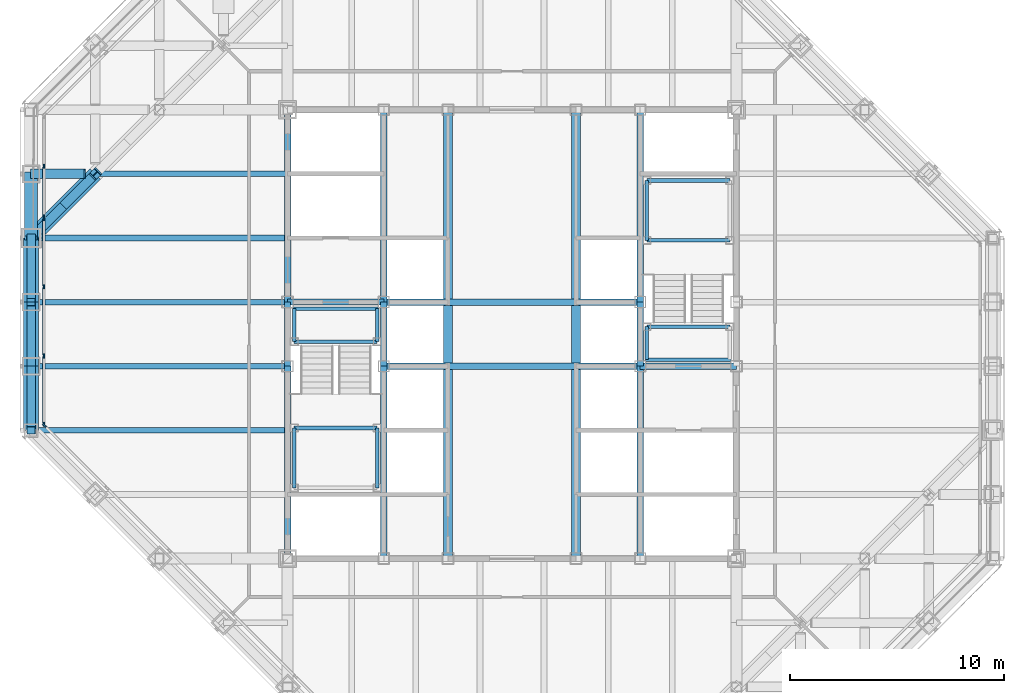
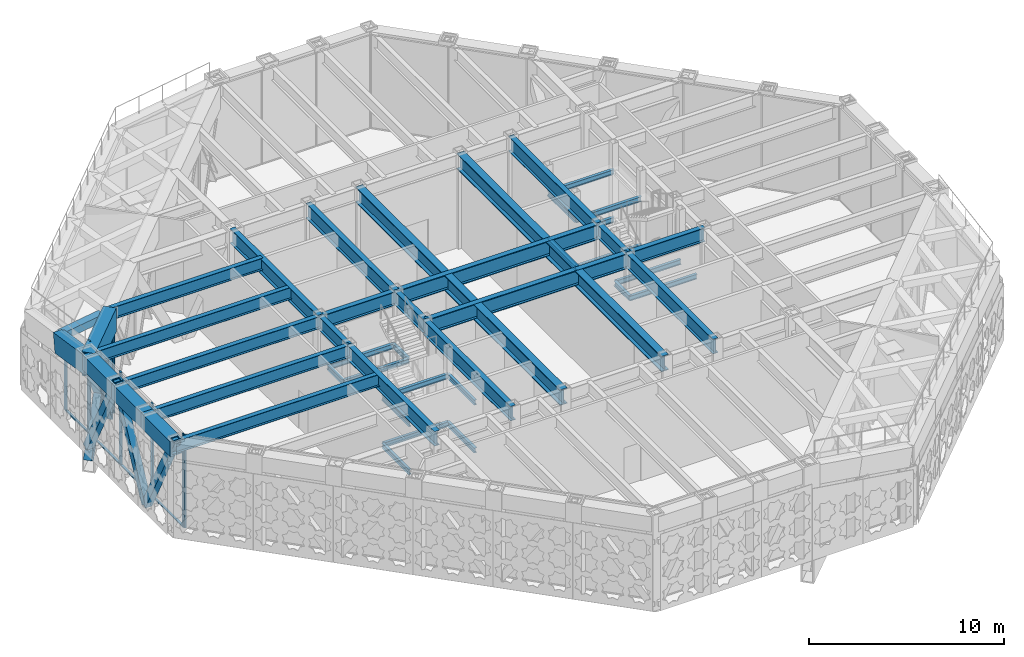
# One storey, part 6 of 29: 48 beams, 18 members, 3 elements without a shape of their own.
"""IFC4 building model written with IfcOpenShell, lengths in metres."""

from ifc_helpers import new_model, si_unit, direction, frame, origin, origin_2d, place, context, subcontext, project, spatial, rectangle, hollow_rectangle, i_section, extrude, material, layer, layer_set, material_profile, profile_set, type_object, element, aggregate, save


model = new_model("IFC4")

# Units and contexts
model_context = context("Model", 3, precision=1e-05, world=origin(), true_north=direction((0.0, 1.0)))
body_context = subcontext(model_context, "Body", "Model", "MODEL_VIEW")
ifc_project = project(units=[si_unit("LENGTHUNIT", "METRE"), si_unit("AREAUNIT", "SQUARE_METRE"), si_unit("VOLUMEUNIT", "CUBIC_METRE"), si_unit("PLANEANGLEUNIT", "RADIAN"), si_unit("MASSUNIT", "GRAM", prefix="KILO")], contexts=[model_context])

# Site, building, storey
site_placement = place(None, origin())
site = spatial("IfcSite", under=ifc_project, at=site_placement, CompositionType="ELEMENT")
building_placement = place(site_placement, origin())
building = spatial("IfcBuilding", under=site, at=building_placement, Name="Chuquiago Exchange Tower", CompositionType="ELEMENT")
storey_placement = place(building_placement, frame((0.0, 0.0, 251.699951171875)))
storey = spatial("IfcBuildingStorey", under=building, at=storey_placement, Name="L56", CompositionType="ELEMENT", Elevation=251.699951171875)

# Beams
ifc_material_1 = material(Name="Steel ASTM A992", Category="steel")
ifc_material_profile_1 = material_profile(ifc_material_1, i_section(OverallWidth=0.307373046875, OverallDepth=0.927001953125, WebThickness=0.01953125, FlangeThickness=0.031982421875, at=origin_2d()), Name="W36X194")
ifc_profile_set_1 = profile_set([ifc_material_profile_1], Name="Steel ASTM A992")
beam_type_1 = type_object("IfcBeamType", Name="B10 W36X194", PredefinedType="BEAM", material=ifc_profile_set_1)
for number, where, z_axis, x_axis, name in (
    (1, (12.0, 12.0, 5.37646484375), (0.0, 1.0, 0.0), (-1.0, 0.0, 0.0), "CB-L57-12_12-12_21"),
    (2, (12.0, 24.0, 5.37646484375), (0.0, 1.0, 0.0), (-1.0, 0.0, 0.0), "CB-L57-12_24-12_33"),
    (3, (16.5, 12.0, 5.37646484375), (0.0, 1.0, 0.0), (-1.0, 0.0, 0.0), "CB-L57-16.5_12-16.5_21"),
    (4, (16.5, 24.0, 5.37646484375), (0.0, 1.0, 0.0), (-1.0, 0.0, 0.0), "CB-L57-16.5_24-16.5_33"),
    (5, (28.5, 12.0, 5.37646484375), (0.0, 1.0, 0.0), (-1.0, 0.0, 0.0), "CB-L57-28.5_12-28.5_21"),
    (6, (28.5, 24.0, 5.37646484375), (0.0, 1.0, 0.0), (-1.0, 0.0, 0.0), "CB-L57-28.5_24-28.5_33"),
):
    element("IfcBeam", number, at=place(storey_placement, frame(where, z_axis=z_axis, x_axis=x_axis)), inside=storey, type_object=beam_type_1, Name=name, PredefinedType="BEAM", context=body_context, shape_type="SweptSolid", body=[
        extrude(i_section(OverallWidth=0.307373046875, OverallDepth=0.927001953125, WebThickness=0.01953125, FlangeThickness=0.031982421875, at=origin_2d()), origin(), (0.0, 0.0, 1.0), 9.0),
    ])
ifc_material_2 = material(Name="Steel ASTM A992", Category="steel")
ifc_material_profile_2 = material_profile(ifc_material_2, i_section(OverallWidth=0.309814453125, OverallDepth=0.949951171875, WebThickness=0.0244140625, FlangeThickness=0.0439453125, at=origin_2d()), Name="W36X256")
ifc_profile_set_2 = profile_set([ifc_material_profile_2], Name="Steel ASTM A992")
beam_type_2 = type_object("IfcBeamType", Name="B11 W36X256", PredefinedType="BEAM", material=ifc_profile_set_2)
for number, where, z_axis, x_axis, name in (
    (7, (16.5, 21.0, 5.364990234375), (1.0, 0.0, 0.0), (0.0, 1.0, 0.0), "CB-L57-16.5_21-28.5_21"),
    (8, (16.5, 24.0, 5.364990234375), (1.0, 0.0, 0.0), (0.0, 1.0, 0.0), "CB-L57-16.5_24-28.5_24"),
):
    element("IfcBeam", number, at=place(storey_placement, frame(where, z_axis=z_axis, x_axis=x_axis)), inside=storey, type_object=beam_type_2, Name=name, PredefinedType="BEAM", context=body_context, shape_type="SweptSolid", body=[
        extrude(i_section(OverallWidth=0.309814453125, OverallDepth=0.949951171875, WebThickness=0.0244140625, FlangeThickness=0.0439453125, at=origin_2d()), origin(), (0.0, 0.0, 1.0), 12.0),
    ])
ifc_material_3 = material(Name="Steel ASTM A992", Category="steel")
ifc_material_profile_3 = material_profile(ifc_material_3, i_section(OverallWidth=0.4267578125, OverallDepth=0.975341796875, WebThickness=0.031005859375, FlangeThickness=0.055908203125, at=origin_2d()), Name="W36X395")
ifc_profile_set_3 = profile_set([ifc_material_profile_3], Name="Steel ASTM A992")
beam_type_3 = type_object("IfcBeamType", Name="B12 W36X395", PredefinedType="BEAM", material=ifc_profile_set_3)
beam_1_placement = place(storey_placement, frame((19.5, 12.0, 5.352294921875), z_axis=(0.0, 1.0, 0.0), x_axis=(-1.0, 0.0, 0.0)))
element("IfcBeam", 9, at=beam_1_placement, inside=storey, type_object=beam_type_3, Name="CB-L57-19.5_12-19.5_20.8451", PredefinedType="BEAM", context=body_context, shape_type="SweptSolid", body=[
    extrude(i_section(OverallWidth=0.4267578125, OverallDepth=0.975341796875, WebThickness=0.031005859375, FlangeThickness=0.055908203125, at=origin_2d()), origin(), (0.0, 0.0, 1.0), 8.84521484375),
])
beam_2_placement = place(storey_placement, frame((19.5, 21.15478515625, 5.352294921875), z_axis=(0.0, 1.0, 0.0), x_axis=(-1.0, 0.0, 0.0)))
element("IfcBeam", 10, at=beam_2_placement, inside=storey, type_object=beam_type_3, Name="CB-L57-19.5_21.1549-19.5_23.8451", PredefinedType="BEAM", context=body_context, shape_type="SweptSolid", body=[
    extrude(i_section(OverallWidth=0.4267578125, OverallDepth=0.975341796875, WebThickness=0.031005859375, FlangeThickness=0.055908203125, at=origin_2d()), origin(), (0.0, 0.0, 1.0), 2.6904296875),
])
for number, where, z_axis, x_axis, name in (
    (11, (19.5, 24.15478515625, 5.352294921875), (0.0, 1.0, 0.0), (-1.0, 0.0, 0.0), "CB-L57-19.5_24.1549-19.5_33"),
    (12, (25.5, 12.0, 5.352294921875), (0.0, 1.0, 0.0), (-1.0, 0.0, 0.0), "CB-L57-25.5_12-25.5_20.8451"),
):
    element("IfcBeam", number, at=place(storey_placement, frame(where, z_axis=z_axis, x_axis=x_axis)), inside=storey, type_object=beam_type_3, Name=name, PredefinedType="BEAM", context=body_context, shape_type="SweptSolid", body=[
        extrude(i_section(OverallWidth=0.4267578125, OverallDepth=0.975341796875, WebThickness=0.031005859375, FlangeThickness=0.055908203125, at=origin_2d()), origin(), (0.0, 0.0, 1.0), 8.84521484375),
    ])
beam_3_placement = place(storey_placement, frame((25.5, 21.15478515625, 5.352294921875), z_axis=(0.0, 1.0, 0.0), x_axis=(-1.0, 0.0, 0.0)))
element("IfcBeam", 13, at=beam_3_placement, inside=storey, type_object=beam_type_3, Name="CB-L57-25.5_21.1549-25.5_23.8451", PredefinedType="BEAM", context=body_context, shape_type="SweptSolid", body=[
    extrude(i_section(OverallWidth=0.4267578125, OverallDepth=0.975341796875, WebThickness=0.031005859375, FlangeThickness=0.055908203125, at=origin_2d()), origin(), (0.0, 0.0, 1.0), 2.6904296875),
])
beam_4_placement = place(storey_placement, frame((25.5, 24.15478515625, 5.352294921875), z_axis=(0.0, 1.0, 0.0), x_axis=(-1.0, 0.0, 0.0)))
element("IfcBeam", 14, at=beam_4_placement, inside=storey, type_object=beam_type_3, Name="CB-L57-25.5_24.1549-25.5_33", PredefinedType="BEAM", context=body_context, shape_type="SweptSolid", body=[
    extrude(i_section(OverallWidth=0.4267578125, OverallDepth=0.975341796875, WebThickness=0.031005859375, FlangeThickness=0.055908203125, at=origin_2d()), origin(), (0.0, 0.0, 1.0), 8.84521484375),
])
ifc_material_4 = material(Name="Steel ASTM A992", Category="steel")
ifc_material_profile_4 = material_profile(ifc_material_4, i_section(OverallWidth=0.2919921875, OverallDepth=0.8583984375, WebThickness=0.01708984375, FlangeThickness=0.031005859375, at=origin_2d()), Name="W33X169")
ifc_profile_set_4 = profile_set([ifc_material_profile_4], Name="Steel ASTM A992")
beam_type_4 = type_object("IfcBeamType", Name="B3 W33X169", PredefinedType="BEAM", material=ifc_profile_set_4)
for number, where, z_axis, x_axis, name in (
    (15, (12.0, 21.0, 5.41064453125), (0.0, 1.0, 0.0), (-1.0, 0.0, 0.0), "CB-L57-12_21-12_24"),
    (16, (16.5, 21.0, 5.41064453125), (0.0, 1.0, 0.0), (-1.0, 0.0, 0.0), "CB-L57-16.5_21-16.5_24"),
    (17, (28.5, 21.0, 5.41064453125), (0.0, 1.0, 0.0), (-1.0, 0.0, 0.0), "CB-L57-28.5_21-28.5_24"),
):
    element("IfcBeam", number, at=place(storey_placement, frame(where, z_axis=z_axis, x_axis=x_axis)), inside=storey, type_object=beam_type_4, Name=name, PredefinedType="BEAM", context=body_context, shape_type="SweptSolid", body=[
        extrude(i_section(OverallWidth=0.2919921875, OverallDepth=0.8583984375, WebThickness=0.01708984375, FlangeThickness=0.031005859375, at=origin_2d()), origin(), (0.0, 0.0, 1.0), 3.0),
    ])
for number, where, z_axis, x_axis, name in (
    (18, (28.5, 21.0, 5.41064453125), (1.0, 0.0, 0.0), (0.0, 1.0, 0.0), "CB-L57-28.5_21-33_21"),
    (19, (12.0, 24.0, 5.41064453125), (1.0, 0.0, 0.0), (0.0, 1.0, 0.0), "CB-L57-12_24-16.5_24"),
):
    element("IfcBeam", number, at=place(storey_placement, frame(where, z_axis=z_axis, x_axis=x_axis)), inside=storey, type_object=beam_type_4, Name=name, PredefinedType="BEAM", context=body_context, shape_type="SweptSolid", body=[
        extrude(i_section(OverallWidth=0.2919921875, OverallDepth=0.8583984375, WebThickness=0.01708984375, FlangeThickness=0.031005859375, at=origin_2d()), origin(), (0.0, 0.0, 1.0), 4.5),
    ])
ifc_material_5 = material(Name="Steel ASTM A992", Category="steel")
ifc_material_profile_5 = material_profile(ifc_material_5, i_section(OverallWidth=0.2666015625, OverallDepth=0.761962890625, WebThickness=0.014404296875, FlangeThickness=0.021484375, at=origin_2d()), Name="W30X116")
ifc_profile_set_5 = profile_set([ifc_material_profile_5], Name="Steel ASTM A992")
beam_type_5 = type_object("IfcBeamType", Name="B8 W30X116", PredefinedType="BEAM", material=ifc_profile_set_5)
for number, where, z_axis, x_axis, name in (
    (20, (12.0, 18.0, 5.458984375), (-1.0, 0.0, 0.0), (0.0, -1.0, 0.0), "FB-L57-infill-12_18--0_18-0"),
    (21, (12.0, 21.0, 5.458984375), (-1.0, 0.0, 0.0), (0.0, -1.0, 0.0), "FB-L57-infill-12_21--0_21-0"),
    (22, (12.0, 24.0, 5.458984375), (-1.0, 0.0, 0.0), (0.0, -1.0, 0.0), "FB-L57-infill-12_24--0_24-0"),
    (23, (12.0, 27.0, 5.458984375), (-1.0, 0.0, 0.0), (0.0, -1.0, 0.0), "FB-L57-infill-12_27--0_27-0"),
):
    element("IfcBeam", number, at=place(storey_placement, frame(where, z_axis=z_axis, x_axis=x_axis)), inside=storey, type_object=beam_type_5, Name=name, PredefinedType="BEAM", context=body_context, shape_type="SweptSolid", body=[
        extrude(i_section(OverallWidth=0.2666015625, OverallDepth=0.761962890625, WebThickness=0.014404296875, FlangeThickness=0.021484375, at=origin_2d()), origin(), (0.0, 0.0, 1.0), 12.0),
    ])
beam_5_placement = place(storey_placement, frame((12.0, 30.0, 5.458984375), z_axis=(-1.0, 0.0, 0.0), x_axis=(0.0, -1.0, 0.0)))
element("IfcBeam", 24, at=beam_5_placement, inside=storey, type_object=beam_type_5, Name="FB-L57-infill-12_30-3_30-0", PredefinedType="BEAM", context=body_context, shape_type="SweptSolid", body=[
    extrude(i_section(OverallWidth=0.2666015625, OverallDepth=0.761962890625, WebThickness=0.014404296875, FlangeThickness=0.021484375, at=origin_2d()), origin(), (0.0, 0.0, 1.0), 9.0),
])

# Members
ifc_material_6 = material(Name="Steel ASTM A500 Grade C", Category="steel")
ifc_material_profile_6 = material_profile(ifc_material_6, hollow_rectangle(XDim=0.406494140625, YDim=0.406494140625, WallThickness=0.0146484375, at=origin_2d()), Name="HSS16X16X5/8")
ifc_profile_set_6 = profile_set([ifc_material_profile_6], Name="Steel ASTM A500 Grade C")
member_type_1 = type_object("IfcMemberType", Name="BT1 HSS16X16X5/8", PredefinedType="BRACE", material=ifc_profile_set_6)
for number, where, z_axis, x_axis, name in (
    (25, (0.0, 27.0, 0.0), (0.0, -0.456929540486, 0.889502892087), (1.0, 0.0, 0.0), "Belt truss L56 diagonal"),
    (26, (0.0, 21.0, 0.0), (0.0, 0.456929540486, 0.889502892087), (-1.0, 0.0, 0.0), "Belt truss L56 diagonal"),
    (27, (0.0, 21.0, 0.0), (0.0, -0.456929540486, 0.889502892087), (1.0, 0.0, 0.0), "Belt truss L56 diagonal"),
):
    element("IfcMember", number, at=place(storey_placement, frame(where, z_axis=z_axis, x_axis=x_axis)), inside=storey, type_object=member_type_1, Name=name, PredefinedType="BRACE", context=body_context, shape_type="SweptSolid", body=[
        extrude(hollow_rectangle(XDim=0.406494140625, YDim=0.406494140625, WallThickness=0.0146484375, at=origin_2d()), origin(), (0.0, 0.0, 1.0), 6.565673828125),
    ])

# Curtain wall, members
ifc_material_7 = material(Name="Aluminium curtain wall system", Category="aluminium")
ifc_layer = layer(ifc_material_7, 0.199951171875)
ifc_layer_set = layer_set([ifc_layer], Name="CW6 plant floor louvre wall")
curtain_wall_type = type_object("IfcCurtainWallType", Name="CW6 plant floor louvre wall", PredefinedType="NOTDEFINED", material=ifc_layer_set)
curtain_wall_1_placement = place(storey_placement, origin())
curtain_wall_1 = element("IfcCurtainWall", 28, at=curtain_wall_1_placement, inside=storey, type_object=curtain_wall_type, Name="CW6 curtain wall L56", PredefinedType="NOTDEFINED")
ifc_material_8 = material(Name="Aluminium mullion, pale anodised", Category="aluminium")
ifc_material_profile_7 = material_profile(ifc_material_8, rectangle(XDim=0.074951171875, YDim=0.199951171875, at=origin_2d()), Name="AL 75x200")
ifc_profile_set_7 = profile_set([ifc_material_profile_7], Name="Aluminium mullion, pale anodised")
member_type_2 = type_object("IfcMemberType", Name="CW6-M mullion 75x200", PredefinedType="MULLION", material=ifc_profile_set_7)
member_1_placement = place(storey_placement, frame((0.60009765625, 30.3525390625, 0.0), z_axis=(0.0, 0.0, 1.0), x_axis=(1.0, 0.0, 0.0)))
member_1 = element("IfcMember", 29, at=member_1_placement, type_object=member_type_2, Name="CW6 mullion 2", PredefinedType="MULLION", context=body_context, shape_type="SweptSolid", body=[
    extrude(rectangle(XDim=0.074951171875, YDim=0.199951171875, at=origin_2d()), origin(), (0.0, 0.0, 1.0), 5.021240234375),
])
member_2_placement = place(storey_placement, frame((0.60009765625, 27.9912109375, 0.0), z_axis=(0.0, 0.0, 1.0), x_axis=(1.0, 0.0, 0.0)))
member_2 = element("IfcMember", 30, at=member_2_placement, type_object=member_type_2, Name="CW6 mullion 3", PredefinedType="MULLION", context=body_context, shape_type="SweptSolid", body=[
    extrude(rectangle(XDim=0.074951171875, YDim=0.199951171875, at=origin_2d()), origin(), (0.0, 0.0, 1.0), 5.021240234375),
])

curtain_wall_2_placement = place(storey_placement, origin())
curtain_wall_2 = element("IfcCurtainWall", 31, at=curtain_wall_2_placement, inside=storey, type_object=curtain_wall_type, Name="CW6 curtain wall L56", PredefinedType="NOTDEFINED")
member_3_placement = place(storey_placement, frame((0.60009765625, 27.916015625, 0.0), z_axis=(0.0, 0.0, 1.0), x_axis=(1.0, 0.0, 0.0)))
member_3 = element("IfcMember", 32, at=member_3_placement, type_object=member_type_2, Name="CW6 mullion 1", PredefinedType="MULLION", context=body_context, shape_type="SweptSolid", body=[
    extrude(rectangle(XDim=0.074951171875, YDim=0.199951171875, at=origin_2d()), origin(), (0.0, 0.0, 1.0), 5.840087890625),
])
member_4_placement = place(storey_placement, frame((0.60009765625, 24.718505859375, 0.0), z_axis=(0.0, 0.0, 1.0), x_axis=(1.0, 0.0, 0.0)))
member_4 = element("IfcMember", 33, at=member_4_placement, type_object=member_type_2, Name="CW6 mullion 2", PredefinedType="MULLION", context=body_context, shape_type="SweptSolid", body=[
    extrude(rectangle(XDim=0.074951171875, YDim=0.199951171875, at=origin_2d()), origin(), (0.0, 0.0, 1.0), 5.840087890625),
])
member_5_placement = place(storey_placement, frame((0.60009765625, 21.483642578125, 0.0), z_axis=(0.0, 0.0, 1.0), x_axis=(1.0, 0.0, 0.0)))
member_5 = element("IfcMember", 34, at=member_5_placement, type_object=member_type_2, Name="CW6 mullion 3", PredefinedType="MULLION", context=body_context, shape_type="SweptSolid", body=[
    extrude(rectangle(XDim=0.074951171875, YDim=0.199951171875, at=origin_2d()), origin(), (0.0, 0.0, 1.0), 5.840087890625),
])
member_6_placement = place(storey_placement, frame((0.60009765625, 18.285888671875, 0.0), z_axis=(0.0, 0.0, 1.0), x_axis=(1.0, 0.0, 0.0)))
member_6 = element("IfcMember", 35, at=member_6_placement, type_object=member_type_2, Name="CW6 mullion 4", PredefinedType="MULLION", context=body_context, shape_type="SweptSolid", body=[
    extrude(rectangle(XDim=0.074951171875, YDim=0.199951171875, at=origin_2d()), origin(), (0.0, 0.0, 1.0), 5.840087890625),
])

# Curtain wall, member
curtain_wall_3_placement = place(storey_placement, origin())
curtain_wall_3 = element("IfcCurtainWall", 36, at=curtain_wall_3_placement, inside=storey, type_object=curtain_wall_type, Name="CW6 curtain wall L56", PredefinedType="NOTDEFINED")
member_7_placement = place(storey_placement, frame((0.62646484375, 18.221923828125, 0.0), z_axis=(0.0, 0.0, 1.0), x_axis=(0.707106781187, 0.707106781187, 0.0)))
member_7 = element("IfcMember", 37, at=member_7_placement, type_object=member_type_2, Name="CW6 mullion 1", PredefinedType="MULLION", context=body_context, shape_type="SweptSolid", body=[
    extrude(rectangle(XDim=0.074951171875, YDim=0.199951171875, at=origin_2d()), origin(), (0.0, 0.0, 1.0), 5.840087890625),
])
aggregate(curtain_wall_3, [member_7])

# Member
ifc_material_9 = material(Name="Aluminium transom, pale anodised", Category="aluminium")
ifc_material_profile_8 = material_profile(ifc_material_9, rectangle(XDim=0.1201171875, YDim=0.074951171875, at=origin_2d()), Name="AL 120x75")
ifc_profile_set_8 = profile_set([ifc_material_profile_8], Name="Aluminium transom, pale anodised")
member_type_3 = type_object("IfcMemberType", Name="CW6-T transom 75x120", PredefinedType="MULLION", material=ifc_profile_set_8)
member_8_placement = place(storey_placement, frame((0.60009765625, 30.31494140625, 0.03759765625), z_axis=(0.0, -1.0, 0.0), x_axis=(1.0, 0.0, 0.0)))
member_8 = element("IfcMember", 38, at=member_8_placement, type_object=member_type_3, Name="CW6 transom 2.1", PredefinedType="MULLION", context=body_context, shape_type="SweptSolid", body=[
    extrude(rectangle(XDim=0.1201171875, YDim=0.074951171875, at=origin_2d()), origin(), (0.0, 0.0, 1.0), 2.286376953125),
])

aggregate(curtain_wall_1, [member_1, member_2, member_8])

member_9_placement = place(storey_placement, frame((0.60009765625, 27.878662109375, 0.03759765625), z_axis=(0.0, -1.0, 0.0), x_axis=(1.0, 0.0, 0.0)))
member_9 = element("IfcMember", 39, at=member_9_placement, type_object=member_type_3, Name="CW6 transom 1.1", PredefinedType="MULLION", context=body_context, shape_type="SweptSolid", body=[
    extrude(rectangle(XDim=0.1201171875, YDim=0.074951171875, at=origin_2d()), origin(), (0.0, 0.0, 1.0), 3.12255859375),
])

member_10_placement = place(storey_placement, frame((0.60009765625, 24.68115234375, 0.03759765625), z_axis=(0.0, -1.0, 0.0), x_axis=(1.0, 0.0, 0.0)))
member_10 = element("IfcMember", 40, at=member_10_placement, type_object=member_type_3, Name="CW6 transom 2.1", PredefinedType="MULLION", context=body_context, shape_type="SweptSolid", body=[
    extrude(rectangle(XDim=0.1201171875, YDim=0.074951171875, at=origin_2d()), origin(), (0.0, 0.0, 1.0), 3.16015625),
])

member_11_placement = place(storey_placement, frame((0.60009765625, 21.446044921875, 0.03759765625), z_axis=(0.0, -1.0, 0.0), x_axis=(1.0, 0.0, 0.0)))
member_11 = element("IfcMember", 41, at=member_11_placement, type_object=member_type_3, Name="CW6 transom 3.1", PredefinedType="MULLION", context=body_context, shape_type="SweptSolid", body=[
    extrude(rectangle(XDim=0.1201171875, YDim=0.074951171875, at=origin_2d()), origin(), (0.0, 0.0, 1.0), 3.12255859375),
])

aggregate(curtain_wall_2, [member_3, member_4, member_5, member_6, member_9, member_10, member_11])

# Beams
ifc_material_10 = material(Name="Steel ASTM A572 Grade 50", Category="steel")
ifc_material_profile_9 = material_profile(ifc_material_10, hollow_rectangle(XDim=0.60009765625, YDim=1.199951171875, WallThickness=0.074951171875, at=origin_2d()), Name="BOX1200X600X75")
ifc_profile_set_9 = profile_set([ifc_material_profile_9], Name="Steel ASTM A572 Grade 50")
beam_type_6 = type_object("IfcBeamType", Name="EB3 BOX1200X600X75", PredefinedType="BEAM", material=ifc_profile_set_9)
beam_6_placement = place(storey_placement, frame((0.0, 30.0, 4.749267578125), z_axis=(0.0, -0.988903271683, 0.148560826784), x_axis=(1.0, 0.0, 0.0)))
element("IfcBeam", 42, at=beam_6_placement, inside=storey, type_object=beam_type_6, Name="Facet roof edge beam L56", PredefinedType="BEAM", context=body_context, shape_type="SweptSolid", body=[
    extrude(hollow_rectangle(XDim=0.60009765625, YDim=1.199951171875, WallThickness=0.074951171875, at=origin_2d()), origin(), (0.0, 0.0, 1.0), 3.03369140625),
])
ifc_material_11 = material(Name="Steel ASTM A572 Grade 50", Category="steel")
ifc_material_profile_10 = material_profile(ifc_material_11, hollow_rectangle(XDim=0.449951171875, YDim=0.449951171875, WallThickness=0.034912109375, at=origin_2d()), Name="BOX450X450X35")
ifc_profile_set_10 = profile_set([ifc_material_profile_10], Name="Steel ASTM A572 Grade 50")
beam_type_7 = type_object("IfcBeamType", Name="FR1 BOX450X450X35", PredefinedType="BEAM", material=ifc_profile_set_10)
beam_7_placement = place(storey_placement, frame((2.507080078125, 30.0, 5.464599609375), z_axis=(-0.988898884676, 0.0, -0.148590026201), x_axis=(0.0, -1.0, 0.0)))
element("IfcBeam", 43, at=beam_7_placement, inside=storey, type_object=beam_type_7, Name="Facet roof rafter L56", PredefinedType="BEAM", context=body_context, shape_type="SweptSolid", body=[
    extrude(hollow_rectangle(XDim=0.449951171875, YDim=0.449951171875, WallThickness=0.034912109375, at=origin_2d()), origin(), (0.0, 0.0, 1.0), 2.53515625),
])
ifc_material_12 = material(Name="Steel ASTM A992", Category="steel")
ifc_material_profile_11 = material_profile(ifc_material_12, i_section(OverallWidth=0.164794921875, OverallDepth=0.309814453125, WebThickness=0.005859375, FlangeThickness=0.009765625, at=origin_2d()), Name="W12X26")
ifc_profile_set_11 = profile_set([ifc_material_profile_11], Name="Steel ASTM A992")
beam_type_8 = type_object("IfcBeamType", Name="LS1 W12X26", PredefinedType="BEAM", material=ifc_profile_set_11)
for number, where, z_axis, x_axis, name in (
    (44, (12.31005859375, 15.31005859375, 1.145263671875), (0.0, 1.0, 0.0), (-1.0, 0.0, 0.0), "Stair ST1 L56 landing 1 stringer"),
    (45, (16.18994140625, 15.31005859375, 1.145263671875), (0.0, 1.0, 0.0), (-1.0, 0.0, 0.0), "Stair ST1 L56 landing 1 stringer"),
):
    element("IfcBeam", number, at=place(storey_placement, frame(where, z_axis=z_axis, x_axis=x_axis)), inside=storey, type_object=beam_type_8, Name=name, PredefinedType="BEAM", context=body_context, shape_type="SweptSolid", body=[
        extrude(i_section(OverallWidth=0.164794921875, OverallDepth=0.309814453125, WebThickness=0.005859375, FlangeThickness=0.009765625, at=origin_2d()), origin(), (0.0, 0.0, 1.0), 2.800048828125),
    ])
for number, where, z_axis, x_axis, name in (
    (46, (12.31005859375, 22.14990234375, 2.645263671875), (0.0, 1.0, 0.0), (-1.0, 0.0, 0.0), "Stair ST1 L56 landing 2 stringer"),
    (47, (16.18994140625, 22.14990234375, 2.645263671875), (0.0, 1.0, 0.0), (-1.0, 0.0, 0.0), "Stair ST1 L56 landing 2 stringer"),
):
    element("IfcBeam", number, at=place(storey_placement, frame(where, z_axis=z_axis, x_axis=x_axis)), inside=storey, type_object=beam_type_8, Name=name, PredefinedType="BEAM", context=body_context, shape_type="SweptSolid", body=[
        extrude(i_section(OverallWidth=0.164794921875, OverallDepth=0.309814453125, WebThickness=0.005859375, FlangeThickness=0.009765625, at=origin_2d()), origin(), (0.0, 0.0, 1.0), 1.5400390625),
    ])
for number, where, z_axis, x_axis, name in (
    (48, (12.31005859375, 15.31005859375, 4.145263671875), (0.0, 1.0, 0.0), (-1.0, 0.0, 0.0), "Stair ST1 L56 landing 3 stringer"),
    (49, (16.18994140625, 15.31005859375, 4.145263671875), (0.0, 1.0, 0.0), (-1.0, 0.0, 0.0), "Stair ST1 L56 landing 3 stringer"),
    (50, (28.81005859375, 26.889892578125, 1.145263671875), (0.0, 1.0, 0.0), (-1.0, 0.0, 0.0), "Stair ST2 L56 landing 1 stringer"),
):
    element("IfcBeam", number, at=place(storey_placement, frame(where, z_axis=z_axis, x_axis=x_axis)), inside=storey, type_object=beam_type_8, Name=name, PredefinedType="BEAM", context=body_context, shape_type="SweptSolid", body=[
        extrude(i_section(OverallWidth=0.164794921875, OverallDepth=0.309814453125, WebThickness=0.005859375, FlangeThickness=0.009765625, at=origin_2d()), origin(), (0.0, 0.0, 1.0), 2.800048828125),
    ])
beam_8_placement = place(storey_placement, frame((28.81005859375, 21.31005859375, 2.645263671875), z_axis=(0.0, 1.0, 0.0), x_axis=(-1.0, 0.0, 0.0)))
element("IfcBeam", 51, at=beam_8_placement, inside=storey, type_object=beam_type_8, Name="Stair ST2 L56 landing 2 stringer", PredefinedType="BEAM", context=body_context, shape_type="SweptSolid", body=[
    extrude(i_section(OverallWidth=0.164794921875, OverallDepth=0.309814453125, WebThickness=0.005859375, FlangeThickness=0.009765625, at=origin_2d()), origin(), (0.0, 0.0, 1.0), 1.5400390625),
])
beam_9_placement = place(storey_placement, frame((28.81005859375, 26.889892578125, 4.145263671875), z_axis=(0.0, 1.0, 0.0), x_axis=(-1.0, 0.0, 0.0)))
element("IfcBeam", 52, at=beam_9_placement, inside=storey, type_object=beam_type_8, Name="Stair ST2 L56 landing 3 stringer", PredefinedType="BEAM", context=body_context, shape_type="SweptSolid", body=[
    extrude(i_section(OverallWidth=0.164794921875, OverallDepth=0.309814453125, WebThickness=0.005859375, FlangeThickness=0.009765625, at=origin_2d()), origin(), (0.0, 0.0, 1.0), 2.800048828125),
])
ifc_material_13 = material(Name="Steel ASTM A992", Category="steel")
ifc_material_profile_12 = material_profile(ifc_material_13, i_section(OverallWidth=0.164794921875, OverallDepth=0.309814453125, WebThickness=0.005859375, FlangeThickness=0.009765625, at=origin_2d()), Name="W12X26")
ifc_profile_set_12 = profile_set([ifc_material_profile_12], Name="Steel ASTM A992")
beam_type_9 = type_object("IfcBeamType", Name="LT1 W12X26", PredefinedType="BEAM", material=ifc_profile_set_12)
for number, where, z_axis, x_axis, name in (
    (53, (12.31005859375, 18.110107421875, 1.145263671875), (1.0, 0.0, 0.0), (0.0, 1.0, 0.0), "Stair ST1 L56 landing 1 trimmer"),
    (54, (12.31005859375, 22.14990234375, 2.645263671875), (1.0, 0.0, 0.0), (0.0, 1.0, 0.0), "Stair ST1 L56 landing 2 trimmer"),
):
    element("IfcBeam", number, at=place(storey_placement, frame(where, z_axis=z_axis, x_axis=x_axis)), inside=storey, type_object=beam_type_9, Name=name, PredefinedType="BEAM", context=body_context, shape_type="SweptSolid", body=[
        extrude(i_section(OverallWidth=0.164794921875, OverallDepth=0.309814453125, WebThickness=0.005859375, FlangeThickness=0.009765625, at=origin_2d()), origin(), (0.0, 0.0, 1.0), 3.8798828125),
    ])
beam_10_placement = place(storey_placement, frame((12.2548828125, 23.68994140625, 2.645263671875), z_axis=(1.0, 0.0, 0.0), x_axis=(0.0, 1.0, 0.0)))
element("IfcBeam", 55, at=beam_10_placement, inside=storey, type_object=beam_type_9, Name="Stair ST1 L56 landing 2 trimmer", PredefinedType="BEAM", context=body_context, shape_type="SweptSolid", body=[
    extrude(i_section(OverallWidth=0.164794921875, OverallDepth=0.309814453125, WebThickness=0.005859375, FlangeThickness=0.009765625, at=origin_2d()), origin(), (0.0, 0.0, 1.0), 3.990234375),
])
for number, where, z_axis, x_axis, name in (
    (56, (12.31005859375, 18.110107421875, 4.145263671875), (1.0, 0.0, 0.0), (0.0, 1.0, 0.0), "Stair ST1 L56 landing 3 trimmer"),
    (57, (28.81005859375, 29.68994140625, 1.145263671875), (1.0, 0.0, 0.0), (0.0, 1.0, 0.0), "Stair ST2 L56 landing 1 trimmer"),
    (58, (28.81005859375, 26.889892578125, 1.145263671875), (1.0, 0.0, 0.0), (0.0, 1.0, 0.0), "Stair ST2 L56 landing 1 trimmer"),
    (59, (28.81005859375, 22.85009765625, 2.645263671875), (1.0, 0.0, 0.0), (0.0, 1.0, 0.0), "Stair ST2 L56 landing 2 trimmer"),
):
    element("IfcBeam", number, at=place(storey_placement, frame(where, z_axis=z_axis, x_axis=x_axis)), inside=storey, type_object=beam_type_9, Name=name, PredefinedType="BEAM", context=body_context, shape_type="SweptSolid", body=[
        extrude(i_section(OverallWidth=0.164794921875, OverallDepth=0.309814453125, WebThickness=0.005859375, FlangeThickness=0.009765625, at=origin_2d()), origin(), (0.0, 0.0, 1.0), 3.8798828125),
    ])
beam_11_placement = place(storey_placement, frame((28.7548828125, 21.31005859375, 2.645263671875), z_axis=(1.0, 0.0, 0.0), x_axis=(0.0, 1.0, 0.0)))
element("IfcBeam", 60, at=beam_11_placement, inside=storey, type_object=beam_type_9, Name="Stair ST2 L56 landing 2 trimmer", PredefinedType="BEAM", context=body_context, shape_type="SweptSolid", body=[
    extrude(i_section(OverallWidth=0.164794921875, OverallDepth=0.309814453125, WebThickness=0.005859375, FlangeThickness=0.009765625, at=origin_2d()), origin(), (0.0, 0.0, 1.0), 3.990234375),
])
for number, where, z_axis, x_axis, name in (
    (61, (28.81005859375, 29.68994140625, 4.145263671875), (1.0, 0.0, 0.0), (0.0, 1.0, 0.0), "Stair ST2 L56 landing 3 trimmer"),
    (62, (28.81005859375, 26.889892578125, 4.145263671875), (1.0, 0.0, 0.0), (0.0, 1.0, 0.0), "Stair ST2 L56 landing 3 trimmer"),
):
    element("IfcBeam", number, at=place(storey_placement, frame(where, z_axis=z_axis, x_axis=x_axis)), inside=storey, type_object=beam_type_9, Name=name, PredefinedType="BEAM", context=body_context, shape_type="SweptSolid", body=[
        extrude(i_section(OverallWidth=0.164794921875, OverallDepth=0.309814453125, WebThickness=0.005859375, FlangeThickness=0.009765625, at=origin_2d()), origin(), (0.0, 0.0, 1.0), 3.8798828125),
    ])
ifc_material_14 = material(Name="Steel ASTM A572 Grade 50", Category="steel")
ifc_material_profile_13 = material_profile(ifc_material_14, hollow_rectangle(XDim=0.699951171875, YDim=0.949951171875, WallThickness=0.10009765625, at=origin_2d()), Name="BOX950X700X100")
ifc_profile_set_13 = profile_set([ifc_material_profile_13], Name="Steel ASTM A572 Grade 50")
beam_type_10 = type_object("IfcBeamType", Name="SP5 BOX950X700X100", PredefinedType="SPANDREL", material=ifc_profile_set_13)
for number, where, z_axis, x_axis, name in (
    (63, (0.0, 27.0, 5.364990234375), (0.0, -1.0, 0.0), (1.0, 0.0, 0.0), "SPB-L57-0_27-0_24"),
    (64, (0.0, 24.0, 5.364990234375), (0.0, -1.0, 0.0), (1.0, 0.0, 0.0), "SPB-L57-0_24-0_21"),
    (65, (0.0, 21.0, 5.364990234375), (0.0, -1.0, 0.0), (1.0, 0.0, 0.0), "SPB-L57-0_21-0_18"),
):
    element("IfcBeam", number, at=place(storey_placement, frame(where, z_axis=z_axis, x_axis=x_axis)), inside=storey, type_object=beam_type_10, Name=name, PredefinedType="SPANDREL", context=body_context, shape_type="SweptSolid", body=[
        extrude(hollow_rectangle(XDim=0.699951171875, YDim=0.949951171875, WallThickness=0.10009765625, at=origin_2d()), origin(), (0.0, 0.0, 1.0), 3.0),
    ])

# Members
ifc_material_15 = material(Name="Steel ASTM A572 Grade 50", Category="steel")
ifc_material_profile_14 = material_profile(ifc_material_15, hollow_rectangle(XDim=0.699951171875, YDim=1.5, WallThickness=0.080078125, at=origin_2d()), Name="BOX1500X700X80")
ifc_profile_set_14 = profile_set([ifc_material_profile_14], Name="Steel ASTM A572 Grade 50")
member_type_4 = type_object("IfcMemberType", Name="TT1 BOX1500X700X80", PredefinedType="CHORD", material=ifc_profile_set_14)
member_12_placement = place(storey_placement, frame((3.0, 30.0, 5.090087890625), z_axis=(-0.707106781187, -0.707106781187, 0.0), x_axis=(0.707106781187, -0.707106781187, 0.0)))
element("IfcMember", 66, at=member_12_placement, inside=storey, type_object=member_type_4, Name="Transfer truss L56 NW top chord", PredefinedType="CHORD", context=body_context, shape_type="SweptSolid", body=[
    extrude(hollow_rectangle(XDim=0.699951171875, YDim=1.5, WallThickness=0.080078125, at=origin_2d()), origin(), (0.0, 0.0, 1.0), 4.24267578125),
])
ifc_material_16 = material(Name="Steel ASTM A992", Category="steel")
ifc_material_profile_15 = material_profile(ifc_material_16, i_section(OverallWidth=0.41650390625, OverallDepth=0.444580078125, WebThickness=0.0390625, FlangeThickness=0.062744140625, at=origin_2d()), Name="W14X342")
ifc_profile_set_15 = profile_set([ifc_material_profile_15], Name="Steel ASTM A992")
member_type_5 = type_object("IfcMemberType", Name="TT2 W14X342", PredefinedType="STRUT", material=ifc_profile_set_15)
member_13_placement = place(storey_placement, frame((3.0, 30.0, -0.909912109375), z_axis=(0.0, 0.0, 1.0), x_axis=(-0.707106781187, 0.707106781187, 0.0)))
element("IfcMember", 67, at=member_13_placement, inside=storey, type_object=member_type_5, Name="Transfer truss L56 NW post", PredefinedType="STRUT", context=body_context, shape_type="SweptSolid", body=[
    extrude(i_section(OverallWidth=0.41650390625, OverallDepth=0.444580078125, WebThickness=0.0390625, FlangeThickness=0.062744140625, at=origin_2d()), origin(), (0.0, 0.0, 1.0), 6.0),
])
ifc_material_17 = material(Name="Steel ASTM A992", Category="steel")
ifc_material_profile_16 = material_profile(ifc_material_17, i_section(OverallWidth=0.431884765625, OverallDepth=0.497802734375, WebThickness=0.0556640625, FlangeThickness=0.0888671875, at=origin_2d()), Name="W14X500")
ifc_profile_set_16 = profile_set([ifc_material_profile_16], Name="Steel ASTM A992")
member_type_6 = type_object("IfcMemberType", Name="TT3 W14X500", PredefinedType="BRACE", material=ifc_profile_set_16)
for number, where, z_axis, x_axis, name in (
    (68, (0.0, 27.0, -0.909912109375), (0.408248290464, 0.408248290464, 0.816496580928), (-0.707106781187, 0.707106781187, 0.0), "Transfer truss L56 NW diagonal"),
    (69, (3.0, 30.0, -0.909912109375), (-0.408248290464, -0.408248290464, 0.816496580928), (0.707106781187, -0.707106781187, 0.0), "Transfer truss L56 NW counter-diagonal"),
):
    element("IfcMember", number, at=place(storey_placement, frame(where, z_axis=z_axis, x_axis=x_axis)), inside=storey, type_object=member_type_6, Name=name, PredefinedType="BRACE", context=body_context, shape_type="SweptSolid", body=[
        extrude(i_section(OverallWidth=0.431884765625, OverallDepth=0.497802734375, WebThickness=0.0556640625, FlangeThickness=0.0888671875, at=origin_2d()), origin(), (0.0, 0.0, 1.0), 7.348388671875),
    ])

save(model, "model.ifc")
